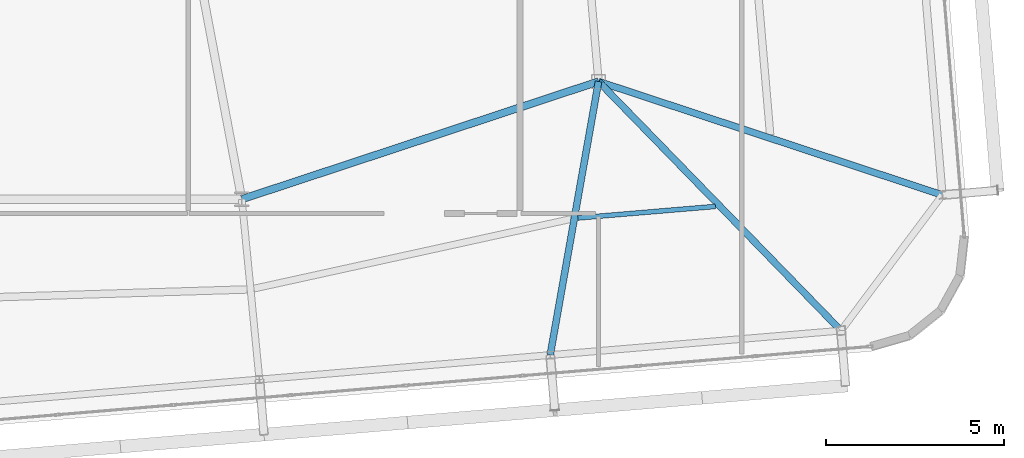
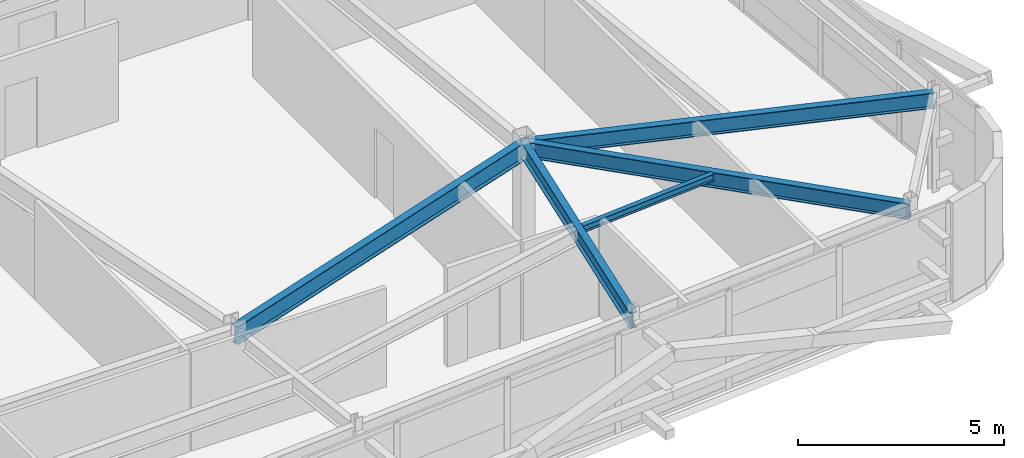
# One storey, part 21 of 46: 5 beams.
"""IFC4 building model written with IfcOpenShell, lengths in metres."""

from ifc_helpers import new_model, si_unit, direction, frame, origin, origin_2d, place, context, subcontext, project, spatial, i_section, extrude, source, transform, mapped, material, material_profile, profile_set, type_object, element, save


model = new_model("IFC4")

# Units and contexts
model_context = context("Model", 3, precision=1e-05, world=origin(), true_north=direction((0.0, 1.0)))
body_context = subcontext(model_context, "Body", "Model", "MODEL_VIEW")
ifc_project = project(units=[si_unit("LENGTHUNIT", "METRE"), si_unit("AREAUNIT", "SQUARE_METRE"), si_unit("VOLUMEUNIT", "CUBIC_METRE"), si_unit("PLANEANGLEUNIT", "RADIAN"), si_unit("MASSUNIT", "GRAM", prefix="KILO")], contexts=[model_context])

# Site, building, storey
site_placement = place(None, origin())
site = spatial("IfcSite", under=ifc_project, at=site_placement, CompositionType="ELEMENT")
building_placement = place(site_placement, origin())
building = spatial("IfcBuilding", under=site, at=building_placement, Name="Taldren Reach Tower", CompositionType="ELEMENT")
storey_placement = place(building_placement, frame((0.0, 0.0, 194.60009765625)))
storey = spatial("IfcBuildingStorey", under=building, at=storey_placement, Name="L59", CompositionType="ELEMENT", Elevation=194.60009765625)

# Beams
ifc_material_1 = material(Name="Steel Gr 350 (350PLUS)", Category="steel")
ifc_material_profile_1 = material_profile(ifc_material_1, i_section(OverallWidth=0.208984375, OverallDepth=0.532958984375, WebThickness=0.01025390625, FlangeThickness=0.015625, at=origin_2d()), Name="530UB92.4")
ifc_profile_set_1 = profile_set([ifc_material_profile_1], Name="Steel Gr 350 (350PLUS)")
beam_type_1 = type_object("IfcBeamType", Name="BM-UB530A", PredefinedType="BEAM", material=ifc_profile_set_1)
shared_shape_1 = source(origin(), body_context, "Body", "SweptSolid", [
    extrude(i_section(OverallWidth=0.208984375, OverallDepth=0.532958984375, WebThickness=0.01025390625, FlangeThickness=0.015625, at=origin_2d()), origin(), (0.0, 0.0, 1.0), 10.530517578125),
])
beam_1_placement = place(storey_placement, frame((42.0, 9.199951171875, 2.663330078125), z_axis=(0.949627269203, 0.313381635689, 0.0), x_axis=(-0.313381635689, 0.949627269203, 0.0)))
element("IfcBeam", 1, at=beam_1_placement, inside=storey, type_object=beam_type_1, Name="Core-spine girder L59-SP12", PredefinedType="BEAM", context=body_context, shape_type="MappedRepresentation", body=[
    mapped(shared_shape_1, transform((0.0, 0.0, 0.0), scale=1.0)),
])
ifc_material_profile_2 = material_profile(ifc_material_1, i_section(OverallWidth=0.19091796875, OverallDepth=0.4599609375, WebThickness=0.010009765625, FlangeThickness=0.01611328125, at=origin_2d()), Name="460UB82.1")
ifc_profile_set_2 = profile_set([ifc_material_profile_2], Name="Steel Gr 350 (350PLUS)")
beam_type_2 = type_object("IfcBeamType", Name="BM-UB460A", PredefinedType="BEAM", material=ifc_profile_set_2)
shared_shape_2 = source(origin(), body_context, "Body", "SweptSolid", [
    extrude(i_section(OverallWidth=0.19091796875, OverallDepth=0.4599609375, WebThickness=0.010009765625, FlangeThickness=0.01611328125, at=origin_2d()), origin(), (0.0, 0.0, 1.0), 7.786865234375),
])
beam_2_placement = place(storey_placement, frame((52.0, 12.5, 2.699951171875), z_axis=(-0.174041097858, -0.984738389755, 0.0), x_axis=(0.984738389755, -0.174041097858, 0.0)))
element("IfcBeam", 2, at=beam_2_placement, inside=storey, type_object=beam_type_2, Name="Primary floor girder B4-S5 L59", PredefinedType="BEAM", context=body_context, shape_type="MappedRepresentation", body=[
    mapped(shared_shape_2, transform((0.0, 0.0, 0.0), scale=1.0)),
])
shared_shape_3 = source(origin(), body_context, "Body", "SweptSolid", [
    extrude(i_section(OverallWidth=0.19091796875, OverallDepth=0.4599609375, WebThickness=0.010009765625, FlangeThickness=0.01611328125, at=origin_2d()), origin(), (0.0, 0.0, 1.0), 9.74462890625),
])
beam_3_placement = place(storey_placement, frame((52.0, 12.5, 2.699951171875), z_axis=(0.697420698235, -0.716661963323, 0.0), x_axis=(0.716661963323, 0.697420698235, 0.0)))
element("IfcBeam", 3, at=beam_3_placement, inside=storey, type_object=beam_type_2, Name="Primary floor girder B4-S6 L59", PredefinedType="BEAM", context=body_context, shape_type="MappedRepresentation", body=[
    mapped(shared_shape_3, transform((0.0, 0.0, 0.0), scale=1.0)),
])
shared_shape_4 = source(origin(), body_context, "Body", "SweptSolid", [
    extrude(i_section(OverallWidth=0.19091796875, OverallDepth=0.4599609375, WebThickness=0.010009765625, FlangeThickness=0.01611328125, at=origin_2d()), origin(), (0.0, 0.0, 1.0), 10.14990234375),
])
beam_4_placement = place(storey_placement, frame((52.0, 12.5, 2.699951171875), z_axis=(0.949576668396, -0.313534927619, 0.0), x_axis=(0.313534927619, 0.949576668396, 0.0)))
element("IfcBeam", 4, at=beam_4_placement, inside=storey, type_object=beam_type_2, Name="Primary floor girder B4-E1 L59", PredefinedType="BEAM", context=body_context, shape_type="MappedRepresentation", body=[
    mapped(shared_shape_4, transform((0.0, 0.0, 0.0), scale=1.0)),
])
ifc_material_2 = material(Name="Steel Gr 300 (300PLUS, 300 MPa)", Category="steel")
ifc_material_profile_3 = material_profile(ifc_material_2, i_section(OverallWidth=0.134033203125, OverallDepth=0.20703125, WebThickness=0.00634765625, FlangeThickness=0.009521484375, at=origin_2d()), Name="200UB29.8")
ifc_profile_set_3 = profile_set([ifc_material_profile_3], Name="Steel Gr 300 (300PLUS, 300 MPa)")
beam_type_3 = type_object("IfcBeamType", Name="JS-UB200", PredefinedType="JOIST", material=ifc_profile_set_3)
shared_shape_5 = source(origin(), body_context, "Body", "SweptSolid", [
    extrude(i_section(OverallWidth=0.134033203125, OverallDepth=0.20703125, WebThickness=0.00634765625, FlangeThickness=0.009521484375, at=origin_2d()), origin(), (0.0, 0.0, 1.0), 3.86767578125),
])
beam_5_placement = place(storey_placement, frame((51.4208984375, 8.67431640625, 2.826416015625), z_axis=(0.996495950743, 0.083641019557, 0.0), x_axis=(-0.083641019557, 0.996495950743, 0.0)))
element("IfcBeam", 5, at=beam_5_placement, inside=storey, type_object=beam_type_3, Name="Secondary floor joist B4 J5 L59", PredefinedType="JOIST", context=body_context, shape_type="MappedRepresentation", body=[
    mapped(shared_shape_5, transform((0.0, 0.0, 0.0), scale=1.0)),
])

save(model, "model.ifc")
